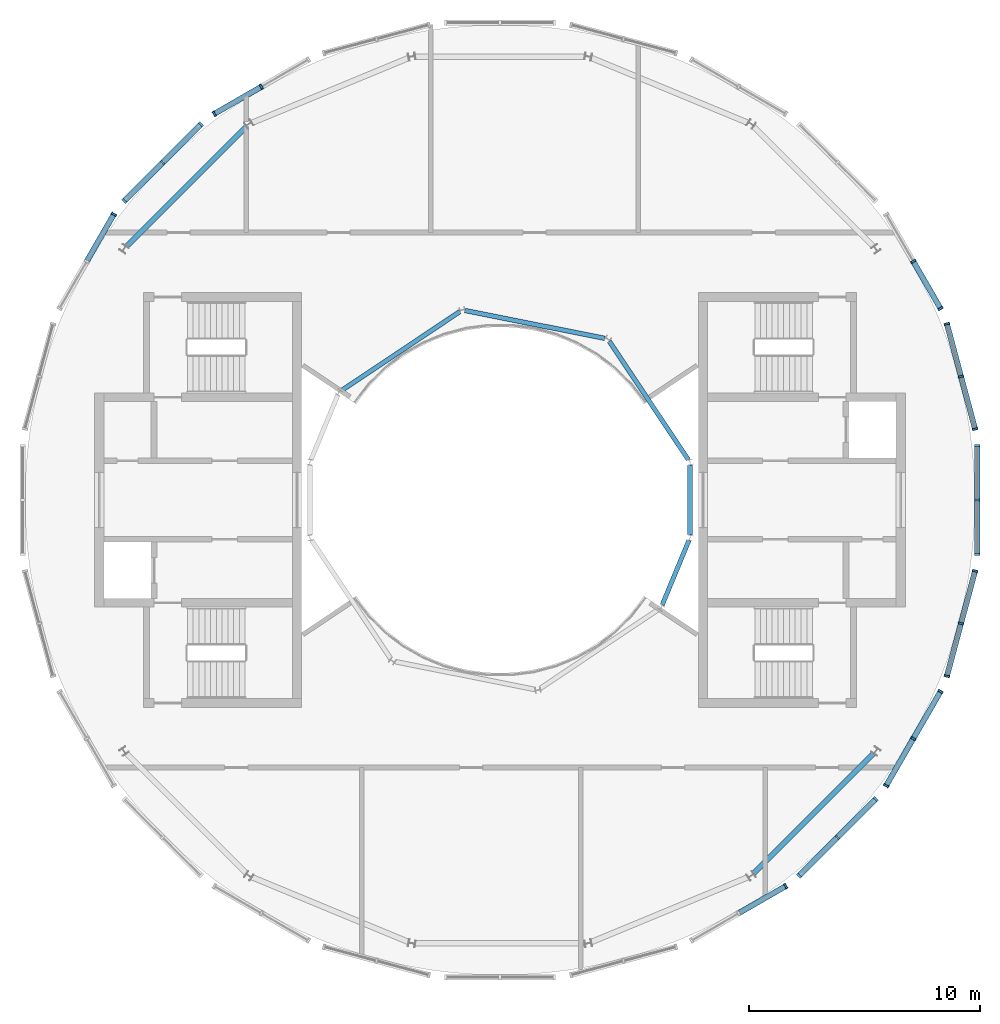
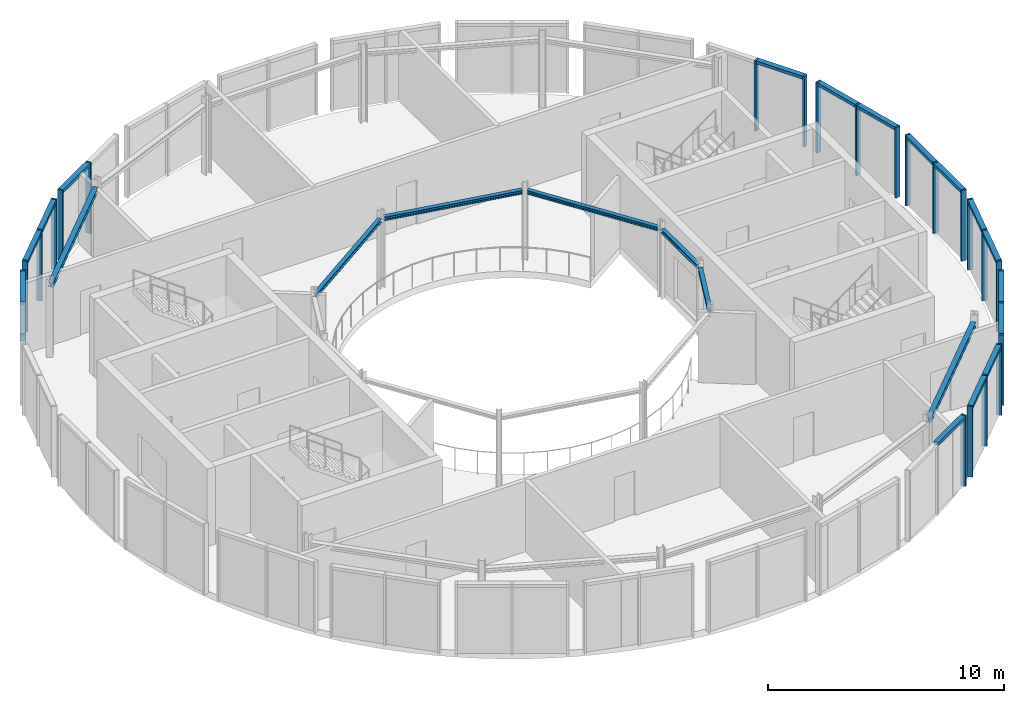
# One storey, part 5 of 12: 40 members, 7 beams, 10 elements without a shape of their own.
"""IFC4 building model written with IfcOpenShell, lengths in metres."""

from ifc_helpers import new_model, si_unit, direction, frame, origin, origin_2d, place, context, subcontext, project, spatial, rectangle, i_section, extrude, material, layer, layer_set, material_profile, profile_set, type_object, element, aggregate, save


model = new_model("IFC4")

# Units and contexts
model_context = context("Model", 3, precision=1e-05, world=origin(), true_north=direction((0.0, 1.0)))
body_context = subcontext(model_context, "Body", "Model", "MODEL_VIEW")
ifc_project = project(units=[si_unit("LENGTHUNIT", "METRE"), si_unit("AREAUNIT", "SQUARE_METRE"), si_unit("VOLUMEUNIT", "CUBIC_METRE"), si_unit("PLANEANGLEUNIT", "RADIAN"), si_unit("MASSUNIT", "GRAM", prefix="KILO")], contexts=[model_context])

# Site, building, storey
site_placement = place(None, origin())
site = spatial("IfcSite", under=ifc_project, at=site_placement, CompositionType="ELEMENT")
building_placement = place(site_placement, origin())
building = spatial("IfcBuilding", under=site, at=building_placement, Name="Maasbend Ring Residences", CompositionType="ELEMENT")
storey_placement = place(building_placement, frame((0.0, 0.0, 265.5)))
storey = spatial("IfcBuildingStorey", under=building, at=storey_placement, Name="L76", CompositionType="ELEMENT", Elevation=265.5)

# Curtain wall, members
ifc_material_1 = material(Name="Aluminium and clear glass", Category="aluminium")
ifc_layer = layer(ifc_material_1, 0.239990234375)
ifc_layer_set = layer_set([ifc_layer], Name="CW-CN")
curtain_wall_type = type_object("IfcCurtainWallType", Name="CW-CN", PredefinedType="NOTDEFINED", material=ifc_layer_set)
curtain_wall_1_placement = place(storey_placement, origin())
curtain_wall_1 = element("IfcCurtainWall", 1, at=curtain_wall_1_placement, inside=storey, type_object=curtain_wall_type, Name="Crown drum glazing 01 L76", PredefinedType="NOTDEFINED")
ifc_material_2 = material(Name="Aluminium 6063-T6", Category="aluminium")
ifc_material_profile_1 = material_profile(ifc_material_2, rectangle(XDim=0.239990234375, YDim=0.090087890625, at=origin_2d()), Name="AL 240x90")
ifc_profile_set_1 = profile_set([ifc_material_profile_1], Name="Aluminium 6063-T6")
member_type_1 = type_object("IfcMemberType", Name="CWM-CN", PredefinedType="MULLION", material=ifc_profile_set_1)
member_1_placement = place(storey_placement, frame((20.596923828125, 3.07666015625, 0.0), z_axis=(0.0, 0.0, 1.0), x_axis=(-0.965925826289, -0.258819045103, 0.0)))
member_1 = element("IfcMember", 2, at=member_1_placement, type_object=member_type_1, Name="Mullion crown cone", PredefinedType="MULLION", context=body_context, shape_type="SweptSolid", body=[
    extrude(rectangle(XDim=0.239990234375, YDim=0.090087890625, at=origin_2d()), origin(), (0.0, 0.0, 1.0), 3.64990234375),
])
member_2_placement = place(storey_placement, frame((19.986328125, 5.355224609375, 0.0), z_axis=(0.0, 0.0, 1.0), x_axis=(-0.965925826289, -0.258819045103, 0.0)))
member_2 = element("IfcMember", 3, at=member_2_placement, type_object=member_type_1, Name="Mullion crown cone", PredefinedType="MULLION", context=body_context, shape_type="SweptSolid", body=[
    extrude(rectangle(XDim=0.239990234375, YDim=0.090087890625, at=origin_2d()), origin(), (0.0, 0.0, 1.0), 3.64990234375),
])
member_3_placement = place(storey_placement, frame((19.375732421875, 7.634033203125, 0.0), z_axis=(0.0, 0.0, 1.0), x_axis=(-0.965925826289, -0.258819045103, 0.0)))
member_3 = element("IfcMember", 4, at=member_3_placement, type_object=member_type_1, Name="Mullion crown cone", PredefinedType="MULLION", context=body_context, shape_type="SweptSolid", body=[
    extrude(rectangle(XDim=0.239990234375, YDim=0.090087890625, at=origin_2d()), origin(), (0.0, 0.0, 1.0), 3.64990234375),
])

curtain_wall_2_placement = place(storey_placement, origin())
curtain_wall_2 = element("IfcCurtainWall", 5, at=curtain_wall_2_placement, inside=storey, type_object=curtain_wall_type, Name="Crown drum glazing 02 L76", PredefinedType="NOTDEFINED")
member_4_placement = place(storey_placement, frame((19.098876953125, 8.302734375, 0.0), z_axis=(0.0, 0.0, 1.0), x_axis=(-0.866025403784, -0.5, 0.0)))
member_4 = element("IfcMember", 6, at=member_4_placement, type_object=member_type_1, Name="Mullion crown cone", PredefinedType="MULLION", context=body_context, shape_type="SweptSolid", body=[
    extrude(rectangle(XDim=0.239990234375, YDim=0.090087890625, at=origin_2d()), origin(), (0.0, 0.0, 1.0), 3.64990234375),
])
member_5_placement = place(storey_placement, frame((17.91943359375, 10.345703125, 0.0), z_axis=(0.0, 0.0, 1.0), x_axis=(-0.866025403784, -0.5, 0.0)))
member_5 = element("IfcMember", 7, at=member_5_placement, type_object=member_type_1, Name="Mullion crown cone", PredefinedType="MULLION", context=body_context, shape_type="SweptSolid", body=[
    extrude(rectangle(XDim=0.239990234375, YDim=0.090087890625, at=origin_2d()), origin(), (0.0, 0.0, 1.0), 3.64990234375),
])

curtain_wall_3_placement = place(storey_placement, origin())
curtain_wall_3 = element("IfcCurtainWall", 8, at=curtain_wall_3_placement, inside=storey, type_object=curtain_wall_type, Name="Crown drum glazing 08 L76", PredefinedType="NOTDEFINED")
member_6_placement = place(storey_placement, frame((-10.345703125, 17.91943359375, 0.0), z_axis=(0.0, 0.0, 1.0), x_axis=(0.5, -0.866025403784, 0.0)))
member_6 = element("IfcMember", 9, at=member_6_placement, type_object=member_type_1, Name="Mullion crown cone", PredefinedType="MULLION", context=body_context, shape_type="SweptSolid", body=[
    extrude(rectangle(XDim=0.239990234375, YDim=0.090087890625, at=origin_2d()), origin(), (0.0, 0.0, 1.0), 3.64990234375),
])
member_7_placement = place(storey_placement, frame((-12.388671875, 16.73974609375, 0.0), z_axis=(0.0, 0.0, 1.0), x_axis=(0.5, -0.866025403784, 0.0)))
member_7 = element("IfcMember", 10, at=member_7_placement, type_object=member_type_1, Name="Mullion crown cone", PredefinedType="MULLION", context=body_context, shape_type="SweptSolid", body=[
    extrude(rectangle(XDim=0.239990234375, YDim=0.090087890625, at=origin_2d()), origin(), (0.0, 0.0, 1.0), 3.64990234375),
])

curtain_wall_4_placement = place(storey_placement, origin())
curtain_wall_4 = element("IfcCurtainWall", 11, at=curtain_wall_4_placement, inside=storey, type_object=curtain_wall_type, Name="Crown drum glazing 09 L76", PredefinedType="NOTDEFINED")
member_8_placement = place(storey_placement, frame((-12.962890625, 16.299072265625, 0.0), z_axis=(0.0, 0.0, 1.0), x_axis=(0.707106781187, -0.707106781187, 0.0)))
member_8 = element("IfcMember", 12, at=member_8_placement, type_object=member_type_1, Name="Mullion crown cone", PredefinedType="MULLION", context=body_context, shape_type="SweptSolid", body=[
    extrude(rectangle(XDim=0.239990234375, YDim=0.090087890625, at=origin_2d()), origin(), (0.0, 0.0, 1.0), 3.64990234375),
])
member_9_placement = place(storey_placement, frame((-14.631103515625, 14.631103515625, 0.0), z_axis=(0.0, 0.0, 1.0), x_axis=(0.707106781187, -0.707106781187, 0.0)))
member_9 = element("IfcMember", 13, at=member_9_placement, type_object=member_type_1, Name="Mullion crown cone", PredefinedType="MULLION", context=body_context, shape_type="SweptSolid", body=[
    extrude(rectangle(XDim=0.239990234375, YDim=0.090087890625, at=origin_2d()), origin(), (0.0, 0.0, 1.0), 3.64990234375),
])
member_10_placement = place(storey_placement, frame((-16.299072265625, 12.962890625, 0.0), z_axis=(0.0, 0.0, 1.0), x_axis=(0.707106781187, -0.707106781187, 0.0)))
member_10 = element("IfcMember", 14, at=member_10_placement, type_object=member_type_1, Name="Mullion crown cone", PredefinedType="MULLION", context=body_context, shape_type="SweptSolid", body=[
    extrude(rectangle(XDim=0.239990234375, YDim=0.090087890625, at=origin_2d()), origin(), (0.0, 0.0, 1.0), 3.64990234375),
])

# Curtain wall, member
curtain_wall_5_placement = place(storey_placement, origin())
curtain_wall_5 = element("IfcCurtainWall", 15, at=curtain_wall_5_placement, inside=storey, type_object=curtain_wall_type, Name="Crown drum glazing 10 L76", PredefinedType="NOTDEFINED")
member_11_placement = place(storey_placement, frame((-16.73974609375, 12.388671875, 0.0), z_axis=(0.0, 0.0, 1.0), x_axis=(0.866025403784, -0.5, 0.0)))
member_11 = element("IfcMember", 16, at=member_11_placement, type_object=member_type_1, Name="Mullion crown cone", PredefinedType="MULLION", context=body_context, shape_type="SweptSolid", body=[
    extrude(rectangle(XDim=0.239990234375, YDim=0.090087890625, at=origin_2d()), origin(), (0.0, 0.0, 1.0), 3.64990234375),
])

curtain_wall_6_placement = place(storey_placement, origin())
curtain_wall_6 = element("IfcCurtainWall", 17, at=curtain_wall_6_placement, inside=storey, type_object=curtain_wall_type, Name="Crown drum glazing 20 L76", PredefinedType="NOTDEFINED")
member_12_placement = place(storey_placement, frame((12.388671875, -16.73974609375, 0.0), z_axis=(0.0, 0.0, 1.0), x_axis=(-0.5, 0.866025403784, 0.0)))
member_12 = element("IfcMember", 18, at=member_12_placement, type_object=member_type_1, Name="Mullion crown cone", PredefinedType="MULLION", context=body_context, shape_type="SweptSolid", body=[
    extrude(rectangle(XDim=0.239990234375, YDim=0.090087890625, at=origin_2d()), origin(), (0.0, 0.0, 1.0), 3.64990234375),
])

# Curtain wall, members
curtain_wall_7_placement = place(storey_placement, origin())
curtain_wall_7 = element("IfcCurtainWall", 19, at=curtain_wall_7_placement, inside=storey, type_object=curtain_wall_type, Name="Crown drum glazing 21 L76", PredefinedType="NOTDEFINED")
member_13_placement = place(storey_placement, frame((12.962890625, -16.299072265625, 0.0), z_axis=(0.0, 0.0, 1.0), x_axis=(-0.707106781187, 0.707106781187, 0.0)))
member_13 = element("IfcMember", 20, at=member_13_placement, type_object=member_type_1, Name="Mullion crown cone", PredefinedType="MULLION", context=body_context, shape_type="SweptSolid", body=[
    extrude(rectangle(XDim=0.239990234375, YDim=0.090087890625, at=origin_2d()), origin(), (0.0, 0.0, 1.0), 3.64990234375),
])
member_14_placement = place(storey_placement, frame((14.631103515625, -14.631103515625, 0.0), z_axis=(0.0, 0.0, 1.0), x_axis=(-0.707106781187, 0.707106781187, 0.0)))
member_14 = element("IfcMember", 21, at=member_14_placement, type_object=member_type_1, Name="Mullion crown cone", PredefinedType="MULLION", context=body_context, shape_type="SweptSolid", body=[
    extrude(rectangle(XDim=0.239990234375, YDim=0.090087890625, at=origin_2d()), origin(), (0.0, 0.0, 1.0), 3.64990234375),
])
member_15_placement = place(storey_placement, frame((16.299072265625, -12.962890625, 0.0), z_axis=(0.0, 0.0, 1.0), x_axis=(-0.707106781187, 0.707106781187, 0.0)))
member_15 = element("IfcMember", 22, at=member_15_placement, type_object=member_type_1, Name="Mullion crown cone", PredefinedType="MULLION", context=body_context, shape_type="SweptSolid", body=[
    extrude(rectangle(XDim=0.239990234375, YDim=0.090087890625, at=origin_2d()), origin(), (0.0, 0.0, 1.0), 3.64990234375),
])

curtain_wall_8_placement = place(storey_placement, origin())
curtain_wall_8 = element("IfcCurtainWall", 23, at=curtain_wall_8_placement, inside=storey, type_object=curtain_wall_type, Name="Crown drum glazing 22 L76", PredefinedType="NOTDEFINED")
member_16_placement = place(storey_placement, frame((16.73974609375, -12.388671875, 0.0), z_axis=(0.0, 0.0, 1.0), x_axis=(-0.866025403784, 0.5, 0.0)))
member_16 = element("IfcMember", 24, at=member_16_placement, type_object=member_type_1, Name="Mullion crown cone", PredefinedType="MULLION", context=body_context, shape_type="SweptSolid", body=[
    extrude(rectangle(XDim=0.239990234375, YDim=0.090087890625, at=origin_2d()), origin(), (0.0, 0.0, 1.0), 3.64990234375),
])
member_17_placement = place(storey_placement, frame((17.91943359375, -10.345703125, 0.0), z_axis=(0.0, 0.0, 1.0), x_axis=(-0.866025403784, 0.5, 0.0)))
member_17 = element("IfcMember", 25, at=member_17_placement, type_object=member_type_1, Name="Mullion crown cone", PredefinedType="MULLION", context=body_context, shape_type="SweptSolid", body=[
    extrude(rectangle(XDim=0.239990234375, YDim=0.090087890625, at=origin_2d()), origin(), (0.0, 0.0, 1.0), 3.64990234375),
])
member_18_placement = place(storey_placement, frame((19.098876953125, -8.302734375, 0.0), z_axis=(0.0, 0.0, 1.0), x_axis=(-0.866025403784, 0.5, 0.0)))
member_18 = element("IfcMember", 26, at=member_18_placement, type_object=member_type_1, Name="Mullion crown cone", PredefinedType="MULLION", context=body_context, shape_type="SweptSolid", body=[
    extrude(rectangle(XDim=0.239990234375, YDim=0.090087890625, at=origin_2d()), origin(), (0.0, 0.0, 1.0), 3.64990234375),
])

curtain_wall_9_placement = place(storey_placement, origin())
curtain_wall_9 = element("IfcCurtainWall", 27, at=curtain_wall_9_placement, inside=storey, type_object=curtain_wall_type, Name="Crown drum glazing 23 L76", PredefinedType="NOTDEFINED")
member_19_placement = place(storey_placement, frame((19.375732421875, -7.634033203125, 0.0), z_axis=(0.0, 0.0, 1.0), x_axis=(-0.965925826289, 0.258819045103, 0.0)))
member_19 = element("IfcMember", 28, at=member_19_placement, type_object=member_type_1, Name="Mullion crown cone", PredefinedType="MULLION", context=body_context, shape_type="SweptSolid", body=[
    extrude(rectangle(XDim=0.239990234375, YDim=0.090087890625, at=origin_2d()), origin(), (0.0, 0.0, 1.0), 3.64990234375),
])
member_20_placement = place(storey_placement, frame((19.986328125, -5.355224609375, 0.0), z_axis=(0.0, 0.0, 1.0), x_axis=(-0.965925826289, 0.258819045103, 0.0)))
member_20 = element("IfcMember", 29, at=member_20_placement, type_object=member_type_1, Name="Mullion crown cone", PredefinedType="MULLION", context=body_context, shape_type="SweptSolid", body=[
    extrude(rectangle(XDim=0.239990234375, YDim=0.090087890625, at=origin_2d()), origin(), (0.0, 0.0, 1.0), 3.64990234375),
])
member_21_placement = place(storey_placement, frame((20.596923828125, -3.07666015625, 0.0), z_axis=(0.0, 0.0, 1.0), x_axis=(-0.965925826289, 0.258819045103, 0.0)))
member_21 = element("IfcMember", 30, at=member_21_placement, type_object=member_type_1, Name="Mullion crown cone", PredefinedType="MULLION", context=body_context, shape_type="SweptSolid", body=[
    extrude(rectangle(XDim=0.239990234375, YDim=0.090087890625, at=origin_2d()), origin(), (0.0, 0.0, 1.0), 3.64990234375),
])

curtain_wall_10_placement = place(storey_placement, origin())
curtain_wall_10 = element("IfcCurtainWall", 31, at=curtain_wall_10_placement, inside=storey, type_object=curtain_wall_type, Name="Crown drum glazing 24 L76", PredefinedType="NOTDEFINED")
member_22_placement = place(storey_placement, frame((20.69140625, -2.359130859375, 0.0), z_axis=(0.0, 0.0, 1.0), x_axis=(-1.0, 0.0, 0.0)))
member_22 = element("IfcMember", 32, at=member_22_placement, type_object=member_type_1, Name="Mullion crown cone", PredefinedType="MULLION", context=body_context, shape_type="SweptSolid", body=[
    extrude(rectangle(XDim=0.239990234375, YDim=0.090087890625, at=origin_2d()), origin(), (0.0, 0.0, 1.0), 3.64990234375),
])
member_23_placement = place(storey_placement, frame((20.69140625, 0.0, 0.0), z_axis=(0.0, 0.0, 1.0), x_axis=(-1.0, 0.0, 0.0)))
member_23 = element("IfcMember", 33, at=member_23_placement, type_object=member_type_1, Name="Mullion crown cone", PredefinedType="MULLION", context=body_context, shape_type="SweptSolid", body=[
    extrude(rectangle(XDim=0.239990234375, YDim=0.090087890625, at=origin_2d()), origin(), (0.0, 0.0, 1.0), 3.64990234375),
])
member_24_placement = place(storey_placement, frame((20.69140625, 2.359130859375, 0.0), z_axis=(0.0, 0.0, 1.0), x_axis=(-1.0, 0.0, 0.0)))
member_24 = element("IfcMember", 34, at=member_24_placement, type_object=member_type_1, Name="Mullion crown cone", PredefinedType="MULLION", context=body_context, shape_type="SweptSolid", body=[
    extrude(rectangle(XDim=0.239990234375, YDim=0.090087890625, at=origin_2d()), origin(), (0.0, 0.0, 1.0), 3.64990234375),
])

# Member
ifc_material_3 = material(Name="Aluminium 6063-T6", Category="aluminium")
ifc_material_profile_2 = material_profile(ifc_material_3, rectangle(XDim=0.239990234375, YDim=0.159912109375, at=origin_2d()), Name="AL 240x160")
ifc_profile_set_2 = profile_set([ifc_material_profile_2], Name="Aluminium 6063-T6")
member_type_2 = type_object("IfcMemberType", Name="CWT-CN", PredefinedType="USERDEFINED", material=ifc_profile_set_2)
member_25_placement = place(storey_placement, frame((20.58544921875, 3.1201171875, 3.570068359375), z_axis=(-0.258881296667, 0.965909143883, 0.0), x_axis=(-0.965909143883, -0.258881296667, 0.0)))
member_25 = element("IfcMember", 35, at=member_25_placement, type_object=member_type_2, Name="Transom crown cone", ObjectType="TRANSOM", PredefinedType="USERDEFINED", context=body_context, shape_type="SweptSolid", body=[
    extrude(rectangle(XDim=0.239990234375, YDim=0.159912109375, at=origin_2d()), origin(), (0.0, 0.0, 1.0), 2.26904296875),
])

member_26_placement = place(storey_placement, frame((19.974853515625, 5.39892578125, 3.570068359375), z_axis=(-0.258881296667, 0.965909143883, 0.0), x_axis=(-0.965909143883, -0.258881296667, 0.0)))
member_26 = element("IfcMember", 36, at=member_26_placement, type_object=member_type_2, Name="Transom crown cone", ObjectType="TRANSOM", PredefinedType="USERDEFINED", context=body_context, shape_type="SweptSolid", body=[
    extrude(rectangle(XDim=0.239990234375, YDim=0.159912109375, at=origin_2d()), origin(), (0.0, 0.0, 1.0), 2.26904296875),
])

aggregate(curtain_wall_1, [member_1, member_2, member_3, member_25, member_26])

member_27_placement = place(storey_placement, frame((19.076416015625, 8.341552734375, 3.570068359375), z_axis=(-0.49999255039, 0.866029704776, 0.0), x_axis=(-0.866029704776, -0.49999255039, 0.0)))
member_27 = element("IfcMember", 37, at=member_27_placement, type_object=member_type_2, Name="Transom crown cone", ObjectType="TRANSOM", PredefinedType="USERDEFINED", context=body_context, shape_type="SweptSolid", body=[
    extrude(rectangle(XDim=0.239990234375, YDim=0.159912109375, at=origin_2d()), origin(), (0.0, 0.0, 1.0), 2.26904296875),
])

aggregate(curtain_wall_2, [member_4, member_5, member_27])

member_28_placement = place(storey_placement, frame((-10.384765625, 17.896728515625, 3.570068359375), z_axis=(-0.866029704776, -0.49999255039, 0.0), x_axis=(0.49999255039, -0.866029704776, 0.0)))
member_28 = element("IfcMember", 38, at=member_28_placement, type_object=member_type_2, Name="Transom crown cone", ObjectType="TRANSOM", PredefinedType="USERDEFINED", context=body_context, shape_type="SweptSolid", body=[
    extrude(rectangle(XDim=0.239990234375, YDim=0.159912109375, at=origin_2d()), origin(), (0.0, 0.0, 1.0), 2.26904296875),
])

aggregate(curtain_wall_3, [member_6, member_7, member_28])

member_29_placement = place(storey_placement, frame((-12.994873046875, 16.267333984375, 3.570068359375), z_axis=(-0.707106781187, -0.707106781187, 0.0), x_axis=(0.707106781187, -0.707106781187, 0.0)))
member_29 = element("IfcMember", 39, at=member_29_placement, type_object=member_type_2, Name="Transom crown cone", ObjectType="TRANSOM", PredefinedType="USERDEFINED", context=body_context, shape_type="SweptSolid", body=[
    extrude(rectangle(XDim=0.239990234375, YDim=0.159912109375, at=origin_2d()), origin(), (0.0, 0.0, 1.0), 2.26904296875),
])

member_30_placement = place(storey_placement, frame((-14.662841796875, 14.599365234375, 3.570068359375), z_axis=(-0.707106781187, -0.707106781187, 0.0), x_axis=(0.707106781187, -0.707106781187, 0.0)))
member_30 = element("IfcMember", 40, at=member_30_placement, type_object=member_type_2, Name="Transom crown cone", ObjectType="TRANSOM", PredefinedType="USERDEFINED", context=body_context, shape_type="SweptSolid", body=[
    extrude(rectangle(XDim=0.239990234375, YDim=0.159912109375, at=origin_2d()), origin(), (0.0, 0.0, 1.0), 2.26904296875),
])

aggregate(curtain_wall_4, [member_8, member_9, member_10, member_29, member_30])

member_31_placement = place(storey_placement, frame((-16.76220703125, 12.349853515625, 3.570068359375), z_axis=(-0.49999255039, -0.866029704776, 0.0), x_axis=(0.866029704776, -0.49999255039, 0.0)))
member_31 = element("IfcMember", 41, at=member_31_placement, type_object=member_type_2, Name="Transom crown cone", ObjectType="TRANSOM", PredefinedType="USERDEFINED", context=body_context, shape_type="SweptSolid", body=[
    extrude(rectangle(XDim=0.239990234375, YDim=0.159912109375, at=origin_2d()), origin(), (0.0, 0.0, 1.0), 2.26904296875),
])

aggregate(curtain_wall_5, [member_11, member_31])

member_32_placement = place(storey_placement, frame((10.384765625, -17.896728515625, 3.570068359375), z_axis=(0.866029704776, 0.49999255039, 0.0), x_axis=(-0.49999255039, 0.866029704776, 0.0)))
member_32 = element("IfcMember", 42, at=member_32_placement, type_object=member_type_2, Name="Transom crown cone", ObjectType="TRANSOM", PredefinedType="USERDEFINED", context=body_context, shape_type="SweptSolid", body=[
    extrude(rectangle(XDim=0.239990234375, YDim=0.159912109375, at=origin_2d()), origin(), (0.0, 0.0, 1.0), 2.26904296875),
])

aggregate(curtain_wall_6, [member_12, member_32])

member_33_placement = place(storey_placement, frame((12.994873046875, -16.267333984375, 3.570068359375), z_axis=(0.707106781187, 0.707106781187, 0.0), x_axis=(-0.707106781187, 0.707106781187, 0.0)))
member_33 = element("IfcMember", 43, at=member_33_placement, type_object=member_type_2, Name="Transom crown cone", ObjectType="TRANSOM", PredefinedType="USERDEFINED", context=body_context, shape_type="SweptSolid", body=[
    extrude(rectangle(XDim=0.239990234375, YDim=0.159912109375, at=origin_2d()), origin(), (0.0, 0.0, 1.0), 2.26904296875),
])

member_34_placement = place(storey_placement, frame((14.662841796875, -14.599365234375, 3.570068359375), z_axis=(0.707106781187, 0.707106781187, 0.0), x_axis=(-0.707106781187, 0.707106781187, 0.0)))
member_34 = element("IfcMember", 44, at=member_34_placement, type_object=member_type_2, Name="Transom crown cone", ObjectType="TRANSOM", PredefinedType="USERDEFINED", context=body_context, shape_type="SweptSolid", body=[
    extrude(rectangle(XDim=0.239990234375, YDim=0.159912109375, at=origin_2d()), origin(), (0.0, 0.0, 1.0), 2.26904296875),
])

aggregate(curtain_wall_7, [member_13, member_14, member_15, member_33, member_34])

member_35_placement = place(storey_placement, frame((16.76220703125, -12.349853515625, 3.570068359375), z_axis=(0.49999255039, 0.866029704776, 0.0), x_axis=(-0.866029704776, 0.49999255039, 0.0)))
member_35 = element("IfcMember", 45, at=member_35_placement, type_object=member_type_2, Name="Transom crown cone", ObjectType="TRANSOM", PredefinedType="USERDEFINED", context=body_context, shape_type="SweptSolid", body=[
    extrude(rectangle(XDim=0.239990234375, YDim=0.159912109375, at=origin_2d()), origin(), (0.0, 0.0, 1.0), 2.26904296875),
])

member_36_placement = place(storey_placement, frame((17.94189453125, -10.306640625, 3.570068359375), z_axis=(0.49999255039, 0.866029704776, 0.0), x_axis=(-0.866029704776, 0.49999255039, 0.0)))
member_36 = element("IfcMember", 46, at=member_36_placement, type_object=member_type_2, Name="Transom crown cone", ObjectType="TRANSOM", PredefinedType="USERDEFINED", context=body_context, shape_type="SweptSolid", body=[
    extrude(rectangle(XDim=0.239990234375, YDim=0.159912109375, at=origin_2d()), origin(), (0.0, 0.0, 1.0), 2.26904296875),
])

aggregate(curtain_wall_8, [member_16, member_17, member_18, member_35, member_36])

member_37_placement = place(storey_placement, frame((19.387451171875, -7.590576171875, 3.570068359375), z_axis=(0.258881296667, 0.965909143883, 0.0), x_axis=(-0.965909143883, 0.258881296667, 0.0)))
member_37 = element("IfcMember", 47, at=member_37_placement, type_object=member_type_2, Name="Transom crown cone", ObjectType="TRANSOM", PredefinedType="USERDEFINED", context=body_context, shape_type="SweptSolid", body=[
    extrude(rectangle(XDim=0.239990234375, YDim=0.159912109375, at=origin_2d()), origin(), (0.0, 0.0, 1.0), 2.26904296875),
])

member_38_placement = place(storey_placement, frame((19.998046875, -5.311767578125, 3.570068359375), z_axis=(0.258881296667, 0.965909143883, 0.0), x_axis=(-0.965909143883, 0.258881296667, 0.0)))
member_38 = element("IfcMember", 48, at=member_38_placement, type_object=member_type_2, Name="Transom crown cone", ObjectType="TRANSOM", PredefinedType="USERDEFINED", context=body_context, shape_type="SweptSolid", body=[
    extrude(rectangle(XDim=0.239990234375, YDim=0.159912109375, at=origin_2d()), origin(), (0.0, 0.0, 1.0), 2.26904296875),
])

aggregate(curtain_wall_9, [member_19, member_20, member_21, member_37, member_38])

member_39_placement = place(storey_placement, frame((20.69140625, -2.31396484375, 3.570068359375), z_axis=(0.0, 1.0, 0.0), x_axis=(-1.0, 0.0, 0.0)))
member_39 = element("IfcMember", 49, at=member_39_placement, type_object=member_type_2, Name="Transom crown cone", ObjectType="TRANSOM", PredefinedType="USERDEFINED", context=body_context, shape_type="SweptSolid", body=[
    extrude(rectangle(XDim=0.239990234375, YDim=0.159912109375, at=origin_2d()), origin(), (0.0, 0.0, 1.0), 2.26904296875),
])

member_40_placement = place(storey_placement, frame((20.69140625, 0.044921875, 3.570068359375), z_axis=(0.0, 1.0, 0.0), x_axis=(-1.0, 0.0, 0.0)))
member_40 = element("IfcMember", 50, at=member_40_placement, type_object=member_type_2, Name="Transom crown cone", ObjectType="TRANSOM", PredefinedType="USERDEFINED", context=body_context, shape_type="SweptSolid", body=[
    extrude(rectangle(XDim=0.239990234375, YDim=0.159912109375, at=origin_2d()), origin(), (0.0, 0.0, 1.0), 2.26904296875),
])

aggregate(curtain_wall_10, [member_22, member_23, member_24, member_39, member_40])

# Beams
ifc_material_4 = material(Name="Steel S355J2", Category="steel")
ifc_material_profile_3 = material_profile(ifc_material_4, i_section(OverallWidth=0.239990234375, OverallDepth=0.22998046875, WebThickness=0.007568359375, FlangeThickness=0.011962890625, FilletRadius=0.02099609375, at=origin_2d()), Name="HEA 240")
ifc_profile_set_3 = profile_set([ifc_material_profile_3], Name="Steel S355J2")
beam_type_1 = type_object("IfcBeamType", Name="Corridor ring beam HEA 240", PredefinedType="BEAM", material=ifc_profile_set_3)
for number, where, z_axis, x_axis, name in (
    (51, (-10.997314453125, 16.188720703125, 3.534912109375), (-0.707106781187, -0.707106781187, 0.0), (0.707106781187, -0.707106781187, 0.0), "Corridor ring beam"),
    (52, (10.997314453125, -16.188720703125, 3.534912109375), (0.707106781187, 0.707106781187, 0.0), (-0.707106781187, 0.707106781187, 0.0), "Corridor ring beam"),
):
    element("IfcBeam", number, at=place(storey_placement, frame(where, z_axis=z_axis, x_axis=x_axis)), inside=storey, type_object=beam_type_1, Name=name, PredefinedType="BEAM", context=body_context, shape_type="SweptSolid", body=[
        extrude(i_section(OverallWidth=0.239990234375, OverallDepth=0.22998046875, WebThickness=0.007568359375, FlangeThickness=0.011962890625, FilletRadius=0.02099609375, at=origin_2d()), origin(), (0.0, 0.0, 1.0), 7.341796875),
    ])
ifc_material_5 = material(Name="Steel S355J2", Category="steel")
ifc_material_profile_4 = material_profile(ifc_material_5, i_section(OverallWidth=0.199951171875, OverallDepth=0.18994140625, WebThickness=0.006591796875, FlangeThickness=0.010009765625, FilletRadius=0.01806640625, at=origin_2d()), Name="HEA 200")
ifc_profile_set_4 = profile_set([ifc_material_profile_4], Name="Steel S355J2")
beam_type_2 = type_object("IfcBeamType", Name="Well edge beam HEA 200", PredefinedType="BEAM", material=ifc_profile_set_4)
for number, where, z_axis, x_axis, name in (
    (53, (8.16943359375, 1.7421875, 3.554931640625), (-0.555547729421, 0.831484648286, 0.0), (-0.831484648286, -0.555547729421, 0.0), "Well edge beam"),
    (54, (4.544677734375, 7.008544921875, 3.554931640625), (-0.98078072474, 0.195113223486, 0.0), (-0.195113223486, -0.98078072474, 0.0), "Well edge beam"),
    (55, (-1.7421875, 8.16943359375, 3.554931640625), (-0.831484648286, -0.555547729421, 0.0), (0.555547729421, -0.831484648286, 0.0), "Well edge beam"),
):
    element("IfcBeam", number, at=place(storey_placement, frame(where, z_axis=z_axis, x_axis=x_axis)), inside=storey, type_object=beam_type_2, Name=name, PredefinedType="BEAM", context=body_context, shape_type="SweptSolid", body=[
        extrude(i_section(OverallWidth=0.199951171875, OverallDepth=0.18994140625, WebThickness=0.006591796875, FlangeThickness=0.010009765625, FilletRadius=0.01806640625, at=origin_2d()), origin(), (0.0, 0.0, 1.0), 6.18017578125),
    ])
for number, where, z_axis, x_axis, name in (
    (56, (7.029296875, -4.55859375, 3.554931640625), (0.382609241817, 0.923910259753, 0.0), (-0.923910259753, 0.382609241817, 0.0), "Well edge beam"),
    (57, (8.238525390625, -1.521484375, 3.554931640625), (0.0, 1.0, 0.0), (-1.0, 0.0, 0.0), "Well edge beam"),
):
    element("IfcBeam", number, at=place(storey_placement, frame(where, z_axis=z_axis, x_axis=x_axis)), inside=storey, type_object=beam_type_2, Name=name, PredefinedType="BEAM", context=body_context, shape_type="SweptSolid", body=[
        extrude(i_section(OverallWidth=0.199951171875, OverallDepth=0.18994140625, WebThickness=0.006591796875, FlangeThickness=0.010009765625, FilletRadius=0.01806640625, at=origin_2d()), origin(), (0.0, 0.0, 1.0), 3.04296875),
    ])

save(model, "model.ifc")
